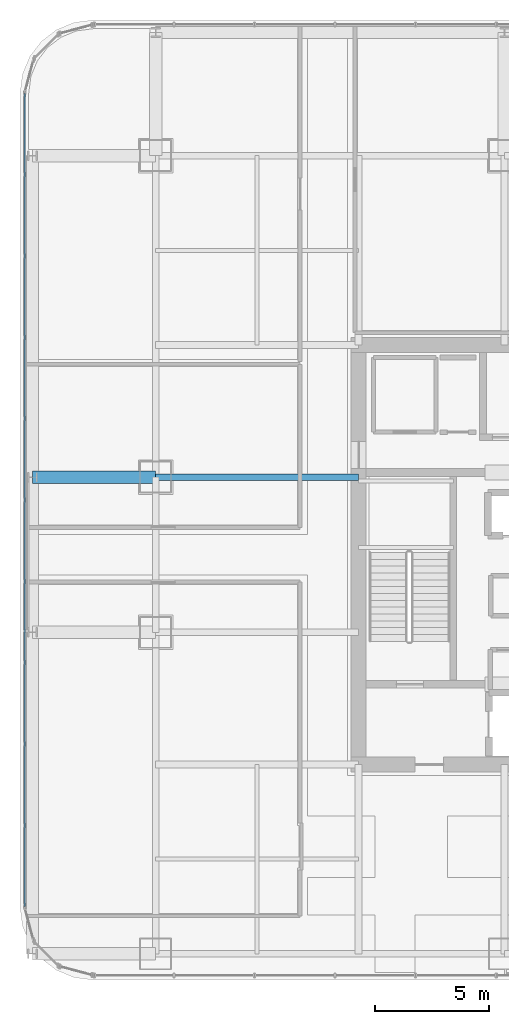
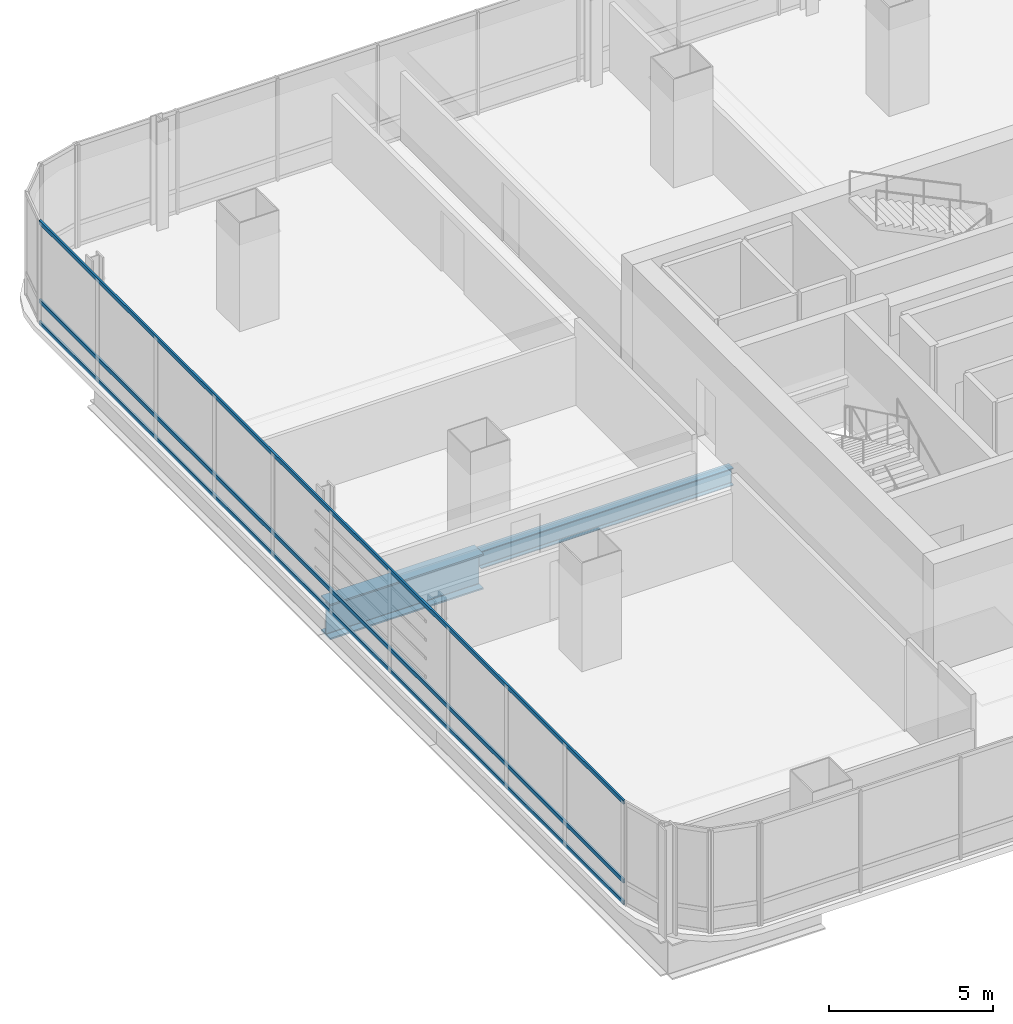
# One storey, part 11 of 38: 3 members, 2 beams, 1 element without a shape of its own.
"""IFC4 building model written with IfcOpenShell, lengths in metres."""

from ifc_helpers import new_model, si_unit, direction, frame, origin, origin_2d, place, context, subcontext, project, spatial, hollow_rectangle, i_section, extrude, material, material_profile, profile_set, type_object, element, aggregate, save


model = new_model("IFC4")

# Units and contexts
model_context = context("Model", 3, precision=1e-05, world=origin(), true_north=direction((0.0, 1.0)))
body_context = subcontext(model_context, "Body", "Model", "MODEL_VIEW")
ifc_project = project(units=[si_unit("LENGTHUNIT", "METRE"), si_unit("AREAUNIT", "SQUARE_METRE"), si_unit("VOLUMEUNIT", "CUBIC_METRE"), si_unit("PLANEANGLEUNIT", "RADIAN"), si_unit("MASSUNIT", "GRAM", prefix="KILO")], contexts=[model_context])

# Site, building, storey
site_placement = place(None, origin())
site = spatial("IfcSite", under=ifc_project, at=site_placement, CompositionType="ELEMENT")
building_placement = place(site_placement, origin())
building = spatial("IfcBuilding", under=site, at=building_placement, Name="Punatoya Terracotta Tower", CompositionType="ELEMENT")
storey_placement = place(building_placement, frame((0.0, 0.0, 151.949951171875)))
storey = spatial("IfcBuildingStorey", under=building, at=storey_placement, Name="L35", CompositionType="ELEMENT", Elevation=151.949951171875)

# Beams
ifc_material_1 = material(Name="Steel S355", Category="steel")
ifc_material_profile_1 = material_profile(ifc_material_1, i_section(OverallWidth=0.300048828125, OverallDepth=0.64990234375, WebThickness=0.01611328125, FlangeThickness=0.031005859375, FilletRadius=0.01806640625, at=origin_2d()))
ifc_profile_set_1 = profile_set([ifc_material_profile_1], Name="Steel S355")
beam_type_1 = type_object("IfcBeamType", Name="BM-PRI-650", PredefinedType="BEAM", material=ifc_profile_set_1)
beam_1_placement = place(storey_placement, frame((-19.10009765625, 3.39990234375, -0.544921875), z_axis=(1.0, 0.0, 0.0), x_axis=(0.0, 1.0, 0.0)))
element("IfcBeam", 1, at=beam_1_placement, inside=storey, type_object=beam_type_1, Name="BM-L35-PR-WE", PredefinedType="BEAM", context=body_context, shape_type="SweptSolid", body=[
    extrude(i_section(OverallWidth=0.300048828125, OverallDepth=0.64990234375, WebThickness=0.01611328125, FlangeThickness=0.031005859375, FilletRadius=0.01806640625, at=origin_2d()), origin(), (0.0, 0.0, 1.0), 8.900146484375),
])
ifc_material_2 = material(Name="Steel S460", Category="steel")
ifc_material_profile_2 = material_profile(ifc_material_2, i_section(OverallWidth=0.56005859375, OverallDepth=1.320068359375, WebThickness=0.035888671875, FlangeThickness=0.054931640625, FilletRadius=0.01806640625, at=origin_2d()))
ifc_profile_set_2 = profile_set([ifc_material_profile_2], Name="Steel S460")
beam_type_2 = type_object("IfcBeamType", Name="BM-TG-BLK", PredefinedType="BEAM", material=ifc_profile_set_2)
beam_2_placement = place(storey_placement, frame((-24.5, 3.39990234375, -0.8798828125), z_axis=(1.0, 0.0, 0.0), x_axis=(0.0, 1.0, 0.0)))
element("IfcBeam", 2, at=beam_2_placement, inside=storey, type_object=beam_type_2, Name="BM-L35-CANT-W3", PredefinedType="BEAM", context=body_context, shape_type="SweptSolid", body=[
    extrude(i_section(OverallWidth=0.56005859375, OverallDepth=1.320068359375, WebThickness=0.035888671875, FlangeThickness=0.054931640625, FilletRadius=0.01806640625, at=origin_2d()), origin(), (0.0, 0.0, 1.0), 5.39990234375),
])

# Curtain wall, members
ifc_material_3 = material(Name="Aluminium 6063-T6 + Double Low-E Glass", Category="aluminium")
curtain_wall_type = type_object("IfcCurtainWallType", Name="CW-M2", PredefinedType="NOTDEFINED", material=ifc_material_3)
curtain_wall_placement = place(storey_placement, origin())
curtain_wall = element("IfcCurtainWall", 3, at=curtain_wall_placement, inside=storey, type_object=curtain_wall_type, Name="L35 Curtain Wall CW-L35-W13-1", PredefinedType="NOTDEFINED")
ifc_material_4 = material(Name="Aluminium 6063-T6", Category="aluminium")
ifc_material_profile_3 = material_profile(ifc_material_4, hollow_rectangle(XDim=0.068115234375, YDim=0.14990234375, WallThickness=0.00390625, at=origin_2d()))
ifc_profile_set_3 = profile_set([ifc_material_profile_3], Name="Aluminium 6063-T6")
member_type = type_object("IfcMemberType", Name="CW-TRN-TYP", PredefinedType="USERDEFINED", material=ifc_profile_set_3)
member_1_placement = place(storey_placement, frame((-24.85009765625, 20.23681640625, 0.0400390625), z_axis=(0.0, -1.0, 0.0), x_axis=(1.0, 0.0, 0.0)))
member_1 = element("IfcMember", 4, at=member_1_placement, type_object=member_type, Name="CW-L35-W13-1 Transom 1", ObjectType="TRANSOM", PredefinedType="USERDEFINED", context=body_context, shape_type="SweptSolid", body=[
    extrude(hollow_rectangle(XDim=0.068115234375, YDim=0.14990234375, WallThickness=0.00390625, at=origin_2d()), origin(), (0.0, 0.0, 1.0), 35.673828125),
])
member_2_placement = place(storey_placement, frame((-24.85009765625, 20.23681640625, 0.85009765625), z_axis=(0.0, -1.0, 0.0), x_axis=(1.0, 0.0, 0.0)))
member_2 = element("IfcMember", 5, at=member_2_placement, type_object=member_type, Name="CW-L35-W13-1 Transom 2", ObjectType="TRANSOM", PredefinedType="USERDEFINED", context=body_context, shape_type="SweptSolid", body=[
    extrude(hollow_rectangle(XDim=0.068115234375, YDim=0.14990234375, WallThickness=0.00390625, at=origin_2d()), origin(), (0.0, 0.0, 1.0), 35.673828125),
])
member_3_placement = place(storey_placement, frame((-24.85009765625, 20.23681640625, 3.7900390625), z_axis=(0.0, -1.0, 0.0), x_axis=(1.0, 0.0, 0.0)))
member_3 = element("IfcMember", 6, at=member_3_placement, type_object=member_type, Name="CW-L35-W13-1 Transom 3", ObjectType="TRANSOM", PredefinedType="USERDEFINED", context=body_context, shape_type="SweptSolid", body=[
    extrude(hollow_rectangle(XDim=0.068115234375, YDim=0.14990234375, WallThickness=0.00390625, at=origin_2d()), origin(), (0.0, 0.0, 1.0), 35.673828125),
])
aggregate(curtain_wall, [member_1, member_2, member_3])

save(model, "model.ifc")
